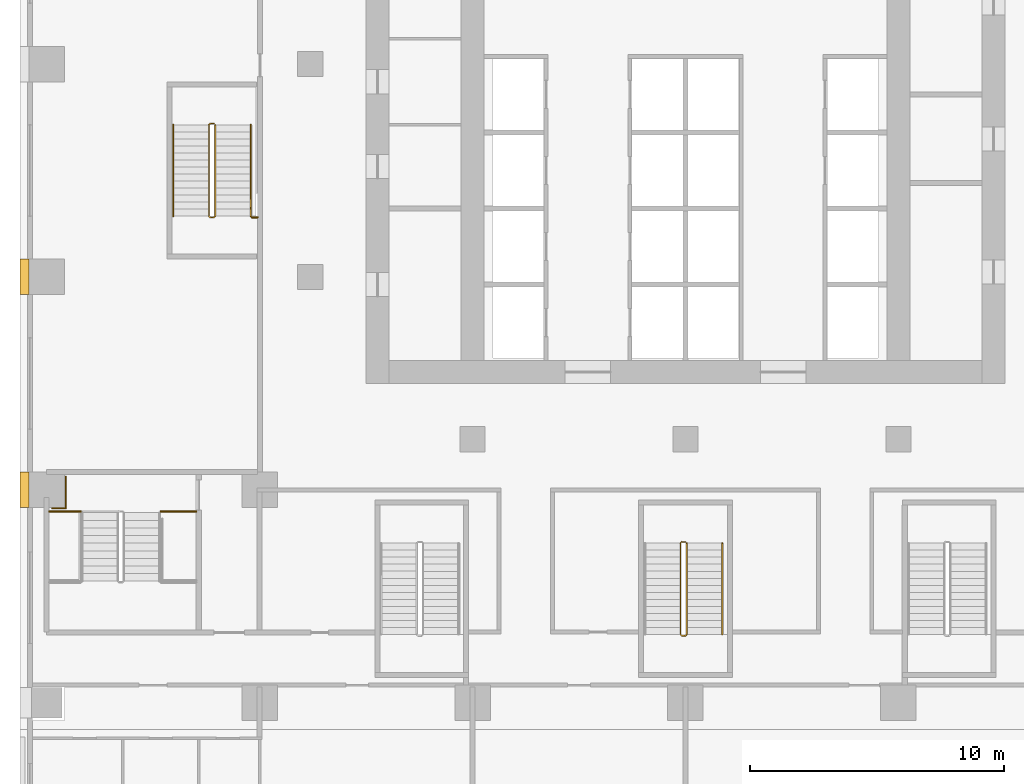
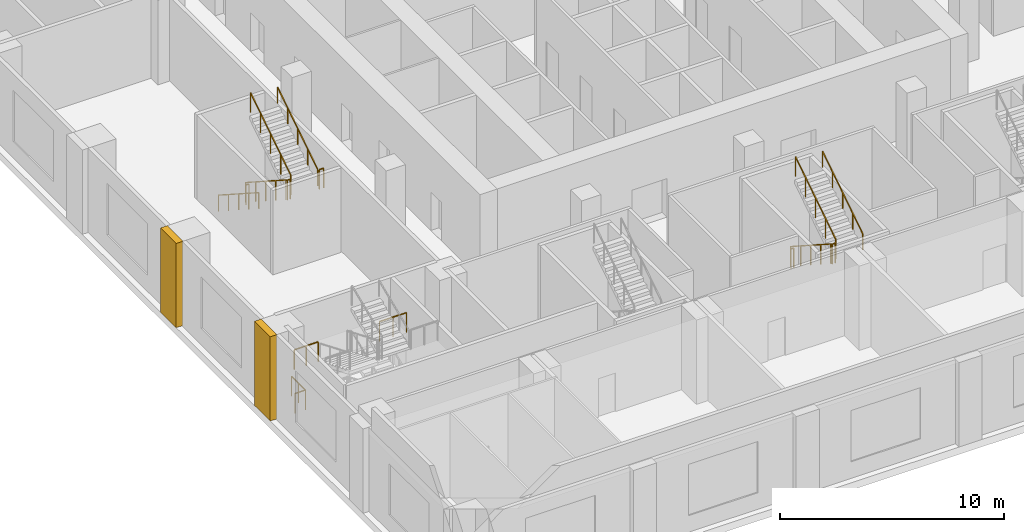
# One storey, part 16 of 23: 9 railings, 2 coverings.
"""IFC4 building model written with IfcOpenShell, lengths in metres."""

import ifcopenshell
import ifcopenshell.guid

model = None  # the IFC model being written
_history = None  # IfcOwnerHistory: only IFC2X3 demands one
_inside = {}  # id of a spatial element -> (the spatial element, [elements in it])
_under = {}  # id of a project, library or spatial element -> (it, [spatial elements below it])
_declared = {}  # id of a project -> (the project, [libraries it declares])
_typed = {}  # id of a type object -> (the type object, [elements of that type])
_made_of = {}  # id of a material, layer set ... -> (it, [elements and type objects made of it])


def new_model(schema):
    """Start an empty IFC model of exactly this schema.

    Asked for "IFC4X3", IfcOpenShell would pick the latest addendum, in which some entities
    have other attributes; the version numbers below select the first issue.
    IFC2X3 requires an IfcOwnerHistory on every rooted entity: one is made here for all.
    """
    global model, _history
    if schema == "IFC4X3":
        model = ifcopenshell.file(schema_version=(4, 3, 0, 0))
    else:
        model = ifcopenshell.file(schema=schema)
    _inside.clear()
    _under.clear()
    _declared.clear()
    _typed.clear()
    _made_of.clear()
    _history = None
    if model.schema == "IFC2X3":
        org = make("IfcOrganization", Name="unknown")
        user = make(
            "IfcPersonAndOrganization",
            ThePerson=make("IfcPerson", FamilyName="unknown"),
            TheOrganization=org,
        )
        app = make(
            "IfcApplication",
            ApplicationDeveloper=org,
            Version="unknown",
            ApplicationFullName="unknown",
            ApplicationIdentifier="unknown",
        )
        _history = make(
            "IfcOwnerHistory",
            OwningUser=user,
            OwningApplication=app,
            ChangeAction="ADDED",
            CreationDate=0,
        )
    return model


def make(cls, **values):
    """One entity of the class cls with the attributes given. An attribute that is None is left unset."""
    return model.create_entity(
        cls, **{name: value for name, value in values.items() if value is not None}
    )


def rooted(cls, **values):
    """An entity with a GlobalId (a new one), such as an element, a storey or a relation."""
    return make(cls, GlobalId=ifcopenshell.guid.new(), OwnerHistory=_history, **values)


def si_unit(unit_type, name, prefix=None):
    """IfcSIUnit, for example si_unit("LENGTHUNIT", "METRE", prefix="MILLI")."""
    return make("IfcSIUnit", UnitType=unit_type, Prefix=prefix, Name=name)


def assignment(units):
    """IfcUnitAssignment: the units of a project."""
    return None if units is None else make("IfcUnitAssignment", Units=units)


def point(xyz):
    """IfcCartesianPoint."""
    return None if xyz is None else make("IfcCartesianPoint", Coordinates=xyz)


def direction(xyz):
    """IfcDirection."""
    return None if xyz is None else make("IfcDirection", DirectionRatios=xyz)


def frame(location, z_axis=None, x_axis=None):
    """IfcAxis2Placement3D, a coordinate frame: its origin and axes. An axis left out is left unset."""
    return make(
        "IfcAxis2Placement3D",
        Location=point(location),
        Axis=direction(z_axis),
        RefDirection=direction(x_axis),
    )


def frame_2d(location, x_axis=None):
    """IfcAxis2Placement2D, a coordinate frame in the plane: its origin and x axis."""
    return make(
        "IfcAxis2Placement2D", Location=point(location), RefDirection=direction(x_axis)
    )


def origin():
    """The frame at (0, 0, 0) with its axes left unset."""
    return frame((0.0, 0.0, 0.0))


def origin_2d():
    """The frame at (0, 0) in the plane with its x axis left unset."""
    return frame_2d((0.0, 0.0))


def place(relative_to, where):
    """IfcLocalPlacement: puts the frame where relative to a parent placement (None: the world)."""
    return make(
        "IfcLocalPlacement", PlacementRelTo=relative_to, RelativePlacement=where
    )


def context(
    kind, dimensions, precision=None, world=None, true_north=None, identifier=None
):
    """IfcGeometricRepresentationContext, for example the 3D "Model" context."""
    return make(
        "IfcGeometricRepresentationContext",
        ContextIdentifier=identifier,
        ContextType=kind,
        CoordinateSpaceDimension=dimensions,
        Precision=precision,
        WorldCoordinateSystem=world,
        TrueNorth=true_north,
    )


def subcontext(parent, identifier, kind, view, scale=None):
    """IfcGeometricRepresentationSubContext, for example "Body" below "Model"."""
    return make(
        "IfcGeometricRepresentationSubContext",
        ContextIdentifier=identifier,
        ContextType=kind,
        ParentContext=parent,
        TargetScale=scale,
        TargetView=view,
    )


def project(units=None, contexts=None):
    """IfcProject with its units and contexts."""
    return rooted(
        "IfcProject",
        Name="project",
        RepresentationContexts=contexts,
        UnitsInContext=assignment(units),
    )


def spatial(cls, under=None, at=None, **own):
    """A site, building, storey or space (cls), placed at a placement, below another one or the project."""
    s = rooted(cls, ObjectPlacement=at, **own)
    if under is not None:
        _under.setdefault(under.id(), (under, []))[1].append(s)
    return s


def polyline(points):
    """IfcPolyline through the points."""
    return make("IfcPolyline", Points=[point(p) for p in points])


def profile(cls, at=None, kind="AREA", **sizes):
    """A parametric profile (cls). Its sizes go by their IFC names, for example OverallWidth=200.0."""
    return make(cls, ProfileType=kind, Position=at, **sizes)


def rectangle(**sizes):
    """IfcRectangleProfileDef."""
    return profile("IfcRectangleProfileDef", **sizes)


def outline(outer, holes=None, kind="AREA"):
    """IfcArbitraryClosedProfileDef: a profile drawn as a closed curve; with holes, ...WithVoids."""
    if holes is None:
        return make("IfcArbitraryClosedProfileDef", ProfileType=kind, OuterCurve=outer)
    return make(
        "IfcArbitraryProfileDefWithVoids",
        ProfileType=kind,
        OuterCurve=outer,
        InnerCurves=holes,
    )


def extrude(swept, where, along, depth):
    """IfcExtrudedAreaSolid: the profile swept, set in the frame where, extruded along a direction by depth."""
    return make(
        "IfcExtrudedAreaSolid",
        SweptArea=swept,
        Position=where,
        ExtrudedDirection=direction(along),
        Depth=depth,
    )


def shape(context_of_items, identifier, shape_type, items):
    """IfcShapeRepresentation: the items that make up one representation, for example the "Body"."""
    return make(
        "IfcShapeRepresentation",
        ContextOfItems=context_of_items,
        RepresentationIdentifier=identifier,
        RepresentationType=shape_type,
        Items=items,
    )


def material(Name=None, Category=None):
    """IfcMaterial."""
    return make("IfcMaterial", Name=Name, Category=Category)


def made_of(thing, what):
    """Note that an element or type object is made of a material, layer set ...; save() writes the relation."""
    if what is not None:
        _made_of.setdefault(what.id(), (what, []))[1].append(thing)
    return thing


def type_object(cls, material=None, **own):
    """A type object (cls), such as IfcWallType, which elements share."""
    return made_of(rooted(cls, **own), material)


def element(
    cls,
    number,
    at=None,
    inside=None,
    cuts=None,
    type_object=None,
    material=None,
    context=None,
    identifier="Body",
    shape_type=None,
    held_by="IfcProductDefinitionShape",
    body=None,
    shapes=None,
    **own,
):
    """One element of the class cls, such as IfcWall. Its Tag is "e" and its number.

    at: its placement. inside: the storey or other place that contains it. cuts: it is an
    opening in that element (IfcRelVoidsElement). A single representation is given by context,
    identifier, shape_type and body (its items); several are given by shapes. held_by: the class
    of the entity that holds the representations. save() writes the other relations.
    """
    e = rooted(cls, Tag="e%d" % number, ObjectPlacement=at, **own)
    if body is not None:
        shapes = [shape(context, identifier, shape_type, body)]
    if shapes is not None:
        e.Representation = make(held_by, Representations=shapes)
    if inside is not None:
        _inside.setdefault(inside.id(), (inside, []))[1].append(e)
    if cuts is not None:
        rooted(
            "IfcRelVoidsElement", RelatingBuildingElement=cuts, RelatedOpeningElement=e
        )
    if type_object is not None:
        _typed.setdefault(type_object.id(), (type_object, []))[1].append(e)
    return made_of(e, material)


def aggregate(whole, parts):
    """IfcRelAggregates: a whole, such as a stair, and the parts it consists of."""
    return rooted("IfcRelAggregates", RelatingObject=whole, RelatedObjects=parts)


def save(model, path):
    """Write the relations noted so far, then the file.

    IfcRelAggregates (storeys below a building ...), IfcRelContainedInSpatialStructure (elements
    in a storey), IfcRelDefinesByType, IfcRelAssociatesMaterial and IfcRelDeclares: one each for
    every whole, place, type object, material and project.
    """
    for whole, parts in _under.values():
        aggregate(whole, parts)
    for where, things in _inside.values():
        rooted(
            "IfcRelContainedInSpatialStructure",
            RelatedElements=things,
            RelatingStructure=where,
        )
    for kind, things in _typed.values():
        rooted("IfcRelDefinesByType", RelatedObjects=things, RelatingType=kind)
    for what, things in _made_of.values():
        rooted("IfcRelAssociatesMaterial", RelatedObjects=things, RelatingMaterial=what)
    for by, libraries in _declared.values():
        rooted("IfcRelDeclares", RelatingContext=by, RelatedDefinitions=libraries)
    model.write(path)


model = new_model("IFC4")

# Units and contexts
model_context = context("Model", 3, precision=1e-05, world=origin(), true_north=direction((0.0, 1.0)))
body_context = subcontext(model_context, "Body", "Model", "MODEL_VIEW")
ifc_project = project(units=[si_unit("LENGTHUNIT", "METRE"), si_unit("AREAUNIT", "SQUARE_METRE"), si_unit("VOLUMEUNIT", "CUBIC_METRE"), si_unit("PLANEANGLEUNIT", "RADIAN"), si_unit("MASSUNIT", "GRAM", prefix="KILO")], contexts=[model_context])

# Site, building, storey
site_placement = place(None, origin())
site = spatial("IfcSite", under=ifc_project, at=site_placement, CompositionType="ELEMENT")
building_placement = place(site_placement, origin())
building = spatial("IfcBuilding", under=site, at=building_placement, Name="Vermilion Ogive Tower", CompositionType="ELEMENT")
storey_placement = place(building_placement, frame((0.0, 0.0, 20.0)))
storey = spatial("IfcBuildingStorey", under=building, at=storey_placement, Name="L03", CompositionType="ELEMENT", Elevation=20.0)

# Railings
ifc_material_1 = material(Name="Steel S355 painted", Category="steel")
railing_type_1 = type_object("IfcRailingType", Name="Stair guard 1100", PredefinedType="GUARDRAIL", material=ifc_material_1)
railing_1_placement = place(storey_placement, frame((0.0, -14.64990234375, 0.0)))
element("IfcRailing", 1, at=railing_1_placement, inside=storey, type_object=railing_type_1, Name="L03 ST4 stair guard 4", PredefinedType="GUARDRAIL", context=body_context, shape_type="SweptSolid", body=[
    extrude(rectangle(XDim=0.048095703125, YDim=0.048095703125, at=origin_2d()), frame((0.0, 0.0, 1.076171875), z_axis=(-1.0, 0.0, 0.0), x_axis=(0.0, -1.0, 0.0)), (0.0, 0.0, 1.0), 0.14990234375),
    extrude(rectangle(XDim=0.048095703125, YDim=0.048095703125, at=origin_2d()), frame((-0.14990234375, 0.0, 1.076171875), z_axis=(-0.260684529273, -0.260684529273, 0.929562882432), x_axis=(0.707106781187, -0.707106781187, 0.0)), (0.0, 0.0, 1.0), 0.19189453125),
    extrude(rectangle(XDim=0.048095703125, YDim=0.048095703125, at=origin_2d()), frame((-0.199951171875, -0.050048828125, 1.25439453125), z_axis=(0.0, -0.840414717549, 0.541943818607), x_axis=(1.0, 0.0, 0.0)), (0.0, 0.0, 1.0), 4.28369140625),
    extrude(rectangle(XDim=0.048095703125, YDim=0.048095703125, at=origin_2d()), frame((-0.199951171875, -3.650146484375, 3.576171875), z_axis=(0.707106781187, -0.707106781187, 0.0), x_axis=(0.707106781187, 0.707106781187, 0.0)), (0.0, 0.0, 1.0), 0.07080078125),
    extrude(rectangle(XDim=0.048095703125, YDim=0.048095703125, at=origin_2d()), frame((-0.14990234375, -3.7001953125, 3.576171875), z_axis=(1.0, 0.0, 0.0), x_axis=(0.0, 1.0, 0.0)), (0.0, 0.0, 1.0), 0.14990234375),
    extrude(rectangle(XDim=0.048095703125, YDim=0.048095703125, at=origin_2d()), frame((0.0, -3.7001953125, 3.576171875), z_axis=(0.260684529273, 0.260684529273, 0.929562882432), x_axis=(-0.707106781187, 0.707106781187, 0.0)), (0.0, 0.0, 1.0), 0.19189453125),
    extrude(rectangle(XDim=0.048095703125, YDim=0.048095703125, at=origin_2d()), frame((0.050048828125, -3.650146484375, 3.75439453125), z_axis=(0.0, 0.840414717549, 0.541943818607), x_axis=(-1.0, 0.0, 0.0)), (0.0, 0.0, 1.0), 4.28369140625),
    extrude(rectangle(XDim=0.0419921875, YDim=0.0419921875, at=origin_2d()), origin(), (0.0, 0.0, 1.0), 1.052001953125),
    extrude(rectangle(XDim=0.0419921875, YDim=0.0419921875, at=origin_2d()), frame((-0.14990234375, 0.0, 0.0)), (0.0, 0.0, 1.0), 1.052001953125),
    extrude(rectangle(XDim=0.0419921875, YDim=0.0419921875, at=origin_2d()), frame((-0.199951171875, -0.050048828125, 0.178466796875)), (0.0, 0.0, 1.0), 1.052001953125),
    extrude(rectangle(XDim=0.0419921875, YDim=0.0419921875, at=origin_2d()), frame((-0.199951171875, -0.9501953125, 0.7587890625)), (0.0, 0.0, 1.0), 1.052001953125),
    extrude(rectangle(XDim=0.0419921875, YDim=0.0419921875, at=origin_2d()), frame((-0.199951171875, -1.85009765625, 1.33935546875)), (0.0, 0.0, 1.0), 1.052001953125),
    extrude(rectangle(XDim=0.0419921875, YDim=0.0419921875, at=origin_2d()), frame((-0.199951171875, -2.75, 1.919677734375)), (0.0, 0.0, 1.0), 1.052001953125),
    extrude(rectangle(XDim=0.0419921875, YDim=0.0419921875, at=origin_2d()), frame((-0.199951171875, -3.650146484375, 2.5)), (0.0, 0.0, 1.0), 1.052001953125),
    extrude(rectangle(XDim=0.0419921875, YDim=0.0419921875, at=origin_2d()), frame((-0.14990234375, -3.7001953125, 2.5)), (0.0, 0.0, 1.0), 1.052001953125),
    extrude(rectangle(XDim=0.0419921875, YDim=0.0419921875, at=origin_2d()), frame((0.0, -3.7001953125, 2.5)), (0.0, 0.0, 1.0), 1.052001953125),
    extrude(rectangle(XDim=0.0419921875, YDim=0.0419921875, at=origin_2d()), frame((0.050048828125, -3.650146484375, 2.678466796875)), (0.0, 0.0, 1.0), 1.052001953125),
    extrude(rectangle(XDim=0.0419921875, YDim=0.0419921875, at=origin_2d()), frame((0.050048828125, -2.75, 3.2587890625)), (0.0, 0.0, 1.0), 1.052001953125),
    extrude(rectangle(XDim=0.0419921875, YDim=0.0419921875, at=origin_2d()), frame((0.050048828125, -1.85009765625, 3.83935546875)), (0.0, 0.0, 1.0), 1.052001953125),
    extrude(rectangle(XDim=0.0419921875, YDim=0.0419921875, at=origin_2d()), frame((0.050048828125, -0.9501953125, 4.419677734375)), (0.0, 0.0, 1.0), 1.052001953125),
    extrude(rectangle(XDim=0.0419921875, YDim=0.0419921875, at=origin_2d()), frame((0.050048828125, -0.050048828125, 5.0)), (0.0, 0.0, 1.0), 1.052001953125),
])
railing_2_placement = place(storey_placement, frame((-18.60009765625, 1.85009765625, 0.0)))
element("IfcRailing", 2, at=railing_2_placement, inside=storey, type_object=railing_type_1, Name="L03 ST9 stair guard 4", PredefinedType="GUARDRAIL", context=body_context, shape_type="SweptSolid", body=[
    extrude(rectangle(XDim=0.048095703125, YDim=0.048095703125, at=origin_2d()), frame((0.0, 0.0, 1.076171875), z_axis=(-1.0, 0.0, 0.0), x_axis=(0.0, -1.0, 0.0)), (0.0, 0.0, 1.0), 0.14990234375),
    extrude(rectangle(XDim=0.048095703125, YDim=0.048095703125, at=origin_2d()), frame((-0.14990234375, 0.0, 1.076171875), z_axis=(-0.260684529273, -0.260684529273, 0.929562882432), x_axis=(0.707106781187, -0.707106781187, 0.0)), (0.0, 0.0, 1.0), 0.19189453125),
    extrude(rectangle(XDim=0.048095703125, YDim=0.048095703125, at=origin_2d()), frame((-0.199951171875, -0.050048828125, 1.25439453125), z_axis=(0.0, -0.840414717549, 0.541943818607), x_axis=(1.0, 0.0, 0.0)), (0.0, 0.0, 1.0), 4.28369140625),
    extrude(rectangle(XDim=0.048095703125, YDim=0.048095703125, at=origin_2d()), frame((-0.199951171875, -3.650146484375, 3.576171875), z_axis=(0.707106781187, -0.707106781187, 0.0), x_axis=(0.707106781187, 0.707106781187, 0.0)), (0.0, 0.0, 1.0), 0.07080078125),
    extrude(rectangle(XDim=0.048095703125, YDim=0.048095703125, at=origin_2d()), frame((-0.14990234375, -3.7001953125, 3.576171875), z_axis=(1.0, 0.0, 0.0), x_axis=(0.0, 1.0, 0.0)), (0.0, 0.0, 1.0), 0.14990234375),
    extrude(rectangle(XDim=0.048095703125, YDim=0.048095703125, at=origin_2d()), frame((0.0, -3.7001953125, 3.576171875), z_axis=(0.260684529273, 0.260684529273, 0.929562882432), x_axis=(-0.707106781187, 0.707106781187, 0.0)), (0.0, 0.0, 1.0), 0.19189453125),
    extrude(rectangle(XDim=0.048095703125, YDim=0.048095703125, at=origin_2d()), frame((0.050048828125, -3.650146484375, 3.75439453125), z_axis=(0.0, 0.840414717549, 0.541943818607), x_axis=(-1.0, 0.0, 0.0)), (0.0, 0.0, 1.0), 4.28369140625),
    extrude(rectangle(XDim=0.0419921875, YDim=0.0419921875, at=origin_2d()), origin(), (0.0, 0.0, 1.0), 1.052001953125),
    extrude(rectangle(XDim=0.0419921875, YDim=0.0419921875, at=origin_2d()), frame((-0.14990234375, 0.0, 0.0)), (0.0, 0.0, 1.0), 1.052001953125),
    extrude(rectangle(XDim=0.0419921875, YDim=0.0419921875, at=origin_2d()), frame((-0.199951171875, -0.050048828125, 0.178466796875)), (0.0, 0.0, 1.0), 1.052001953125),
    extrude(rectangle(XDim=0.0419921875, YDim=0.0419921875, at=origin_2d()), frame((-0.199951171875, -0.9501953125, 0.7587890625)), (0.0, 0.0, 1.0), 1.052001953125),
    extrude(rectangle(XDim=0.0419921875, YDim=0.0419921875, at=origin_2d()), frame((-0.199951171875, -1.85009765625, 1.33935546875)), (0.0, 0.0, 1.0), 1.052001953125),
    extrude(rectangle(XDim=0.0419921875, YDim=0.0419921875, at=origin_2d()), frame((-0.199951171875, -2.75, 1.919677734375)), (0.0, 0.0, 1.0), 1.052001953125),
    extrude(rectangle(XDim=0.0419921875, YDim=0.0419921875, at=origin_2d()), frame((-0.199951171875, -3.650146484375, 2.5)), (0.0, 0.0, 1.0), 1.052001953125),
    extrude(rectangle(XDim=0.0419921875, YDim=0.0419921875, at=origin_2d()), frame((-0.14990234375, -3.7001953125, 2.5)), (0.0, 0.0, 1.0), 1.052001953125),
    extrude(rectangle(XDim=0.0419921875, YDim=0.0419921875, at=origin_2d()), frame((0.0, -3.7001953125, 2.5)), (0.0, 0.0, 1.0), 1.052001953125),
    extrude(rectangle(XDim=0.0419921875, YDim=0.0419921875, at=origin_2d()), frame((0.050048828125, -3.650146484375, 2.678466796875)), (0.0, 0.0, 1.0), 1.052001953125),
    extrude(rectangle(XDim=0.0419921875, YDim=0.0419921875, at=origin_2d()), frame((0.050048828125, -2.75, 3.2587890625)), (0.0, 0.0, 1.0), 1.052001953125),
    extrude(rectangle(XDim=0.0419921875, YDim=0.0419921875, at=origin_2d()), frame((0.050048828125, -1.85009765625, 3.83935546875)), (0.0, 0.0, 1.0), 1.052001953125),
    extrude(rectangle(XDim=0.0419921875, YDim=0.0419921875, at=origin_2d()), frame((0.050048828125, -0.9501953125, 4.419677734375)), (0.0, 0.0, 1.0), 1.052001953125),
    extrude(rectangle(XDim=0.0419921875, YDim=0.0419921875, at=origin_2d()), frame((0.050048828125, -0.050048828125, 5.0)), (0.0, 0.0, 1.0), 1.052001953125),
])
railing_3_placement = place(storey_placement, frame((-17.10009765625, -1.85009765625, 2.5)))
element("IfcRailing", 3, at=railing_3_placement, inside=storey, type_object=railing_type_1, Name="L03 landing guard", PredefinedType="GUARDRAIL", context=body_context, shape_type="SweptSolid", body=[
    extrude(rectangle(XDim=0.048095703125, YDim=0.048095703125, at=origin_2d()), frame((0.0, 0.0, 1.076171875), z_axis=(1.0, 0.0, 0.0), x_axis=(0.0, 1.0, 0.0)), (0.0, 0.0, 1.0), 0.22509765625),
    extrude(rectangle(XDim=0.0419921875, YDim=0.0419921875, at=origin_2d()), origin(), (0.0, 0.0, 1.0), 1.052001953125),
    extrude(rectangle(XDim=0.0419921875, YDim=0.0419921875, at=origin_2d()), frame((0.22509765625, 0.0, 0.0)), (0.0, 0.0, 1.0), 1.052001953125),
])
railing_4_placement = place(storey_placement, frame((-25.10009765625, -13.449951171875, 2.5)))
element("IfcRailing", 4, at=railing_4_placement, inside=storey, type_object=railing_type_1, Name="L03 landing guard", PredefinedType="GUARDRAIL", context=body_context, shape_type="SweptSolid", body=[
    extrude(rectangle(XDim=0.048095703125, YDim=0.048095703125, at=origin_2d()), frame((0.0, 0.0, 1.076171875), z_axis=(1.0, 0.0, 0.0), x_axis=(0.0, 1.0, 0.0)), (0.0, 0.0, 1.0), 1.25),
    extrude(rectangle(XDim=0.0419921875, YDim=0.0419921875, at=origin_2d()), origin(), (0.0, 0.0, 1.0), 1.052001953125),
    extrude(rectangle(XDim=0.0419921875, YDim=0.0419921875, at=origin_2d()), frame((0.625, 0.0, 0.0)), (0.0, 0.0, 1.0), 1.052001953125),
    extrude(rectangle(XDim=0.0419921875, YDim=0.0419921875, at=origin_2d()), frame((1.25, 0.0, 0.0)), (0.0, 0.0, 1.0), 1.052001953125),
])
railing_5_placement = place(storey_placement, frame((-20.699951171875, -13.449951171875, 2.5)))
element("IfcRailing", 5, at=railing_5_placement, inside=storey, type_object=railing_type_1, Name="L03 landing guard", PredefinedType="GUARDRAIL", context=body_context, shape_type="SweptSolid", body=[
    extrude(rectangle(XDim=0.048095703125, YDim=0.048095703125, at=origin_2d()), frame((0.0, 0.0, 1.076171875), z_axis=(1.0, 0.0, 0.0), x_axis=(0.0, 1.0, 0.0)), (0.0, 0.0, 1.0), 1.39990234375),
    extrude(rectangle(XDim=0.0419921875, YDim=0.0419921875, at=origin_2d()), origin(), (0.0, 0.0, 1.0), 1.052001953125),
    extrude(rectangle(XDim=0.0419921875, YDim=0.0419921875, at=origin_2d()), frame((0.699951171875, 0.0, 0.0)), (0.0, 0.0, 1.0), 1.052001953125),
    extrude(rectangle(XDim=0.0419921875, YDim=0.0419921875, at=origin_2d()), frame((1.39990234375, 0.0, 0.0)), (0.0, 0.0, 1.0), 1.052001953125),
])
railing_6_placement = place(storey_placement, frame((-24.985107421875, -13.323974609375, 0.0)))
element("IfcRailing", 6, at=railing_6_placement, inside=storey, type_object=railing_type_1, Name="L03 stair opening guard", PredefinedType="GUARDRAIL", context=body_context, shape_type="SweptSolid", body=[
    extrude(rectangle(XDim=0.048095703125, YDim=0.048095703125, at=origin_2d()), frame((0.0, 0.0, 1.076171875), z_axis=(1.0, 0.0, 0.0), x_axis=(0.0, 1.0, 0.0)), (0.0, 0.0, 1.0), 0.5400390625),
    extrude(rectangle(XDim=0.048095703125, YDim=0.048095703125, at=origin_2d()), frame((0.5400390625, 0.0, 1.076171875), z_axis=(0.0, 1.0, 0.0), x_axis=(-1.0, 0.0, 0.0)), (0.0, 0.0, 1.0), 1.239990234375),
    extrude(rectangle(XDim=0.0419921875, YDim=0.0419921875, at=origin_2d()), origin(), (0.0, 0.0, 1.0), 1.052001953125),
    extrude(rectangle(XDim=0.0419921875, YDim=0.0419921875, at=origin_2d()), frame((0.5400390625, 0.0, 0.0)), (0.0, 0.0, 1.0), 1.052001953125),
    extrude(rectangle(XDim=0.0419921875, YDim=0.0419921875, at=origin_2d()), frame((0.5400390625, 0.6201171875, 0.0)), (0.0, 0.0, 1.0), 1.052001953125),
    extrude(rectangle(XDim=0.0419921875, YDim=0.0419921875, at=origin_2d()), frame((0.5400390625, 1.239990234375, 0.0)), (0.0, 0.0, 1.0), 1.052001953125),
])
ifc_material_2 = material(Name="Stainless steel", Category="steel")
railing_type_2 = type_object("IfcRailingType", Name="Stair handrail 900", PredefinedType="HANDRAIL", material=ifc_material_2)
railing_7_placement = place(storey_placement, frame((1.449951171875, -18.300048828125, 2.678466796875)))
element("IfcRailing", 7, at=railing_7_placement, inside=storey, type_object=railing_type_2, Name="L03 ST4 stair handrail 2", PredefinedType="HANDRAIL", context=body_context, shape_type="SweptSolid", body=[
    extrude(rectangle(XDim=0.048095703125, YDim=0.048095703125, at=origin_2d()), frame((0.0, 0.0, 0.8759765625), z_axis=(0.0, 0.840414717549, 0.541943818607), x_axis=(-1.0, 0.0, 0.0)), (0.0, 0.0, 1.0), 4.28369140625),
    extrude(rectangle(XDim=0.0419921875, YDim=0.0419921875, at=origin_2d()), origin(), (0.0, 0.0, 1.0), 0.851806640625),
    extrude(rectangle(XDim=0.0419921875, YDim=0.0419921875, at=origin_2d()), frame((0.0, 0.89990234375, 0.580322265625)), (0.0, 0.0, 1.0), 0.851806640625),
    extrude(rectangle(XDim=0.0419921875, YDim=0.0419921875, at=origin_2d()), frame((0.0, 1.800048828125, 1.16064453125)), (0.0, 0.0, 1.0), 0.851806640625),
    extrude(rectangle(XDim=0.0419921875, YDim=0.0419921875, at=origin_2d()), frame((0.0, 2.7001953125, 1.7412109375)), (0.0, 0.0, 1.0), 0.851806640625),
    extrude(rectangle(XDim=0.0419921875, YDim=0.0419921875, at=origin_2d()), frame((0.0, 3.60009765625, 2.321533203125)), (0.0, 0.0, 1.0), 0.851806640625),
])
railing_8_placement = place(storey_placement, frame((-20.199951171875, 1.800048828125, 0.178466796875)))
element("IfcRailing", 8, at=railing_8_placement, inside=storey, type_object=railing_type_2, Name="L03 ST9 stair handrail 1", PredefinedType="HANDRAIL", context=body_context, shape_type="SweptSolid", body=[
    extrude(rectangle(XDim=0.048095703125, YDim=0.048095703125, at=origin_2d()), frame((0.0, 0.0, 0.8759765625), z_axis=(0.0, -0.840414717549, 0.541943818607), x_axis=(1.0, 0.0, 0.0)), (0.0, 0.0, 1.0), 4.28369140625),
    extrude(rectangle(XDim=0.0419921875, YDim=0.0419921875, at=origin_2d()), origin(), (0.0, 0.0, 1.0), 0.851806640625),
    extrude(rectangle(XDim=0.0419921875, YDim=0.0419921875, at=origin_2d()), frame((0.0, -0.89990234375, 0.580322265625)), (0.0, 0.0, 1.0), 0.851806640625),
    extrude(rectangle(XDim=0.0419921875, YDim=0.0419921875, at=origin_2d()), frame((0.0, -1.800048828125, 1.16064453125)), (0.0, 0.0, 1.0), 0.851806640625),
    extrude(rectangle(XDim=0.0419921875, YDim=0.0419921875, at=origin_2d()), frame((0.0, -2.7001953125, 1.7412109375)), (0.0, 0.0, 1.0), 0.851806640625),
    extrude(rectangle(XDim=0.0419921875, YDim=0.0419921875, at=origin_2d()), frame((0.0, -3.60009765625, 2.321533203125)), (0.0, 0.0, 1.0), 0.851806640625),
])
railing_9_placement = place(storey_placement, frame((-17.14990234375, -1.800048828125, 2.678466796875)))
element("IfcRailing", 9, at=railing_9_placement, inside=storey, type_object=railing_type_2, Name="L03 ST9 stair handrail 2", PredefinedType="HANDRAIL", context=body_context, shape_type="SweptSolid", body=[
    extrude(rectangle(XDim=0.048095703125, YDim=0.048095703125, at=origin_2d()), frame((0.0, 0.0, 0.8759765625), z_axis=(0.0, 0.840414717549, 0.541943818607), x_axis=(-1.0, 0.0, 0.0)), (0.0, 0.0, 1.0), 4.28369140625),
    extrude(rectangle(XDim=0.0419921875, YDim=0.0419921875, at=origin_2d()), origin(), (0.0, 0.0, 1.0), 0.851806640625),
    extrude(rectangle(XDim=0.0419921875, YDim=0.0419921875, at=origin_2d()), frame((0.0, 0.89990234375, 0.580322265625)), (0.0, 0.0, 1.0), 0.851806640625),
    extrude(rectangle(XDim=0.0419921875, YDim=0.0419921875, at=origin_2d()), frame((0.0, 1.800048828125, 1.16064453125)), (0.0, 0.0, 1.0), 0.851806640625),
    extrude(rectangle(XDim=0.0419921875, YDim=0.0419921875, at=origin_2d()), frame((0.0, 2.7001953125, 1.7412109375)), (0.0, 0.0, 1.0), 0.851806640625),
    extrude(rectangle(XDim=0.0419921875, YDim=0.0419921875, at=origin_2d()), frame((0.0, 3.60009765625, 2.321533203125)), (0.0, 0.0, 1.0), 0.851806640625),
])

# Coverings
ifc_material_3 = material(Name="Stone cladding", Category="masonry")
covering_type = type_object("IfcCoveringType", Name="Stone pier", PredefinedType="CLADDING", material=ifc_material_3)
covering_1_placement = place(storey_placement, origin())
element("IfcCovering", 10, at=covering_1_placement, inside=storey, type_object=covering_type, Name="Stone pier P-252-042", PredefinedType="CLADDING", context=body_context, shape_type="SweptSolid", body=[
    extrude(outline(polyline([(-25.89990234375, -4.89990234375), (-26.25, -4.89990234375), (-26.25, -3.5), (-25.89990234375, -3.5), (-25.89990234375, -4.89990234375), (-25.89990234375, -4.89990234375)])), origin(), (0.0, 0.0, 1.0), 4.60009765625),
])
covering_2_placement = place(storey_placement, origin())
element("IfcCovering", 11, at=covering_2_placement, inside=storey, type_object=covering_type, Name="Stone pier P-252-126", PredefinedType="CLADDING", context=body_context, shape_type="SweptSolid", body=[
    extrude(outline(polyline([(-25.89990234375, -13.300048828125), (-25.89990234375, -13.300048828125), (-26.25, -13.300048828125), (-26.25, -11.89990234375), (-25.89990234375, -11.89990234375), (-25.89990234375, -11.89990234375), (-25.89990234375, -13.300048828125)])), origin(), (0.0, 0.0, 1.0), 4.60009765625),
])

save(model, "model.ifc")
